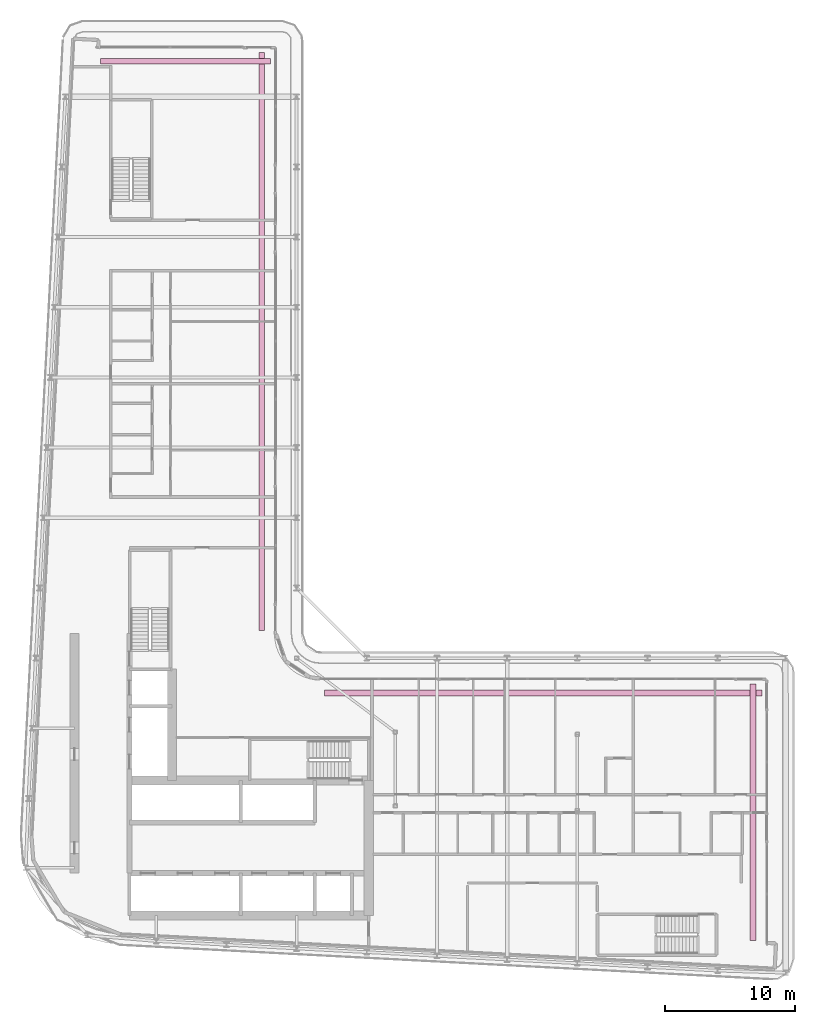
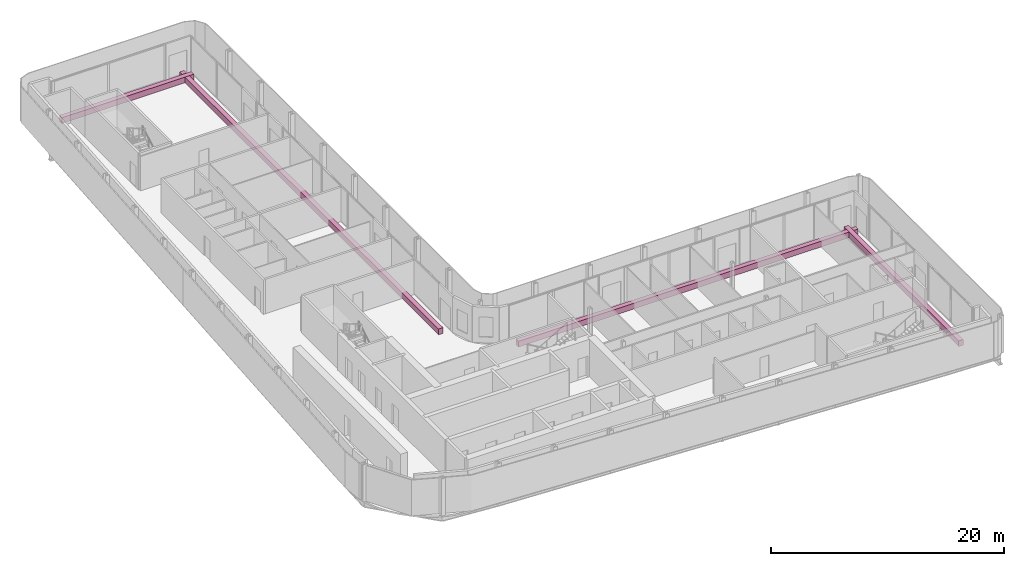
# One storey, part 21 of 21: 4 furniture elements.
"""IFC4 building model written with IfcOpenShell, lengths in metres."""

from ifc_helpers import new_model, si_unit, direction, frame, origin, origin_2d, place, context, subcontext, project, spatial, rectangle, extrude, material, type_object, element, save


model = new_model("IFC4")

# Units and contexts
model_context = context("Model", 3, precision=1e-05, world=origin(), true_north=direction((0.0, 1.0)))
body_context = subcontext(model_context, "Body", "Model", "MODEL_VIEW")
ifc_project = project(units=[si_unit("LENGTHUNIT", "METRE"), si_unit("AREAUNIT", "SQUARE_METRE"), si_unit("VOLUMEUNIT", "CUBIC_METRE"), si_unit("PLANEANGLEUNIT", "RADIAN"), si_unit("MASSUNIT", "GRAM", prefix="KILO")], contexts=[model_context])

# Site, building, storey
site_placement = place(None, origin())
site = spatial("IfcSite", under=ifc_project, at=site_placement, CompositionType="ELEMENT")
building_placement = place(site_placement, origin())
building = spatial("IfcBuilding", under=site, at=building_placement, Name="Kheshtan School and Residences Tower", CompositionType="ELEMENT")
storey_placement = place(building_placement, frame((0.0, 0.0, 227.89990234375)))
storey = spatial("IfcBuildingStorey", under=building, at=storey_placement, Name="L53", CompositionType="ELEMENT", Elevation=227.89990234375)

# Furniture
ifc_material = material(Name="Precast concrete C30/37 in terracotta finish", Category="masonry")
furniture_type = type_object("IfcFurnitureType", Name="Planter trough", AssemblyPlace="NOTDEFINED", PredefinedType="USERDEFINED", material=ifc_material)
furniture_1_placement = place(storey_placement, frame((39.053955078125, 91.52490234375, 0.0), z_axis=(0.0, 0.0, 1.0), x_axis=(1.0, 0.0, 0.0)))
element("IfcFurniture", 1, at=furniture_1_placement, inside=storey, type_object=furniture_type, Name="Planter L53", ObjectType="PLANTER", PredefinedType="USERDEFINED", context=body_context, shape_type="SweptSolid", body=[
    extrude(rectangle(XDim=13.092041015625, YDim=0.449951171875, at=origin_2d()), origin(), (0.0, 0.0, 1.0), 0.60009765625),
])
furniture_2_placement = place(storey_placement, frame((44.925048828125, 69.965087890625, 0.0), z_axis=(0.0, 0.0, 1.0), x_axis=(0.0, -1.0, 0.0)))
element("IfcFurniture", 2, at=furniture_2_placement, inside=storey, type_object=furniture_type, Name="Planter L53", ObjectType="PLANTER", PredefinedType="USERDEFINED", context=body_context, shape_type="SweptSolid", body=[
    extrude(rectangle(XDim=44.469970703125, YDim=0.449951171875, at=origin_2d()), origin(), (0.0, 0.0, 1.0), 0.60009765625),
])
furniture_3_placement = place(storey_placement, frame((66.56494140625, 42.925048828125, 0.0), z_axis=(0.0, 0.0, 1.0), x_axis=(1.0, 0.0, 0.0)))
element("IfcFurniture", 3, at=furniture_3_placement, inside=storey, type_object=furniture_type, Name="Planter L53", ObjectType="PLANTER", PredefinedType="USERDEFINED", context=body_context, shape_type="SweptSolid", body=[
    extrude(rectangle(XDim=33.669921875, YDim=0.449951171875, at=origin_2d()), origin(), (0.0, 0.0, 1.0), 0.60009765625),
])
furniture_4_placement = place(storey_placement, frame((82.72509765625, 33.73291015625, 0.0), z_axis=(0.0, 0.0, 1.0), x_axis=(0.0, -1.0, 0.0)))
element("IfcFurniture", 4, at=furniture_4_placement, inside=storey, type_object=furniture_type, Name="Planter L53", ObjectType="PLANTER", PredefinedType="USERDEFINED", context=body_context, shape_type="SweptSolid", body=[
    extrude(rectangle(XDim=19.73291015625, YDim=0.449951171875, at=origin_2d()), origin(), (0.0, 0.0, 1.0), 0.60009765625),
])

save(model, "model.ifc")
